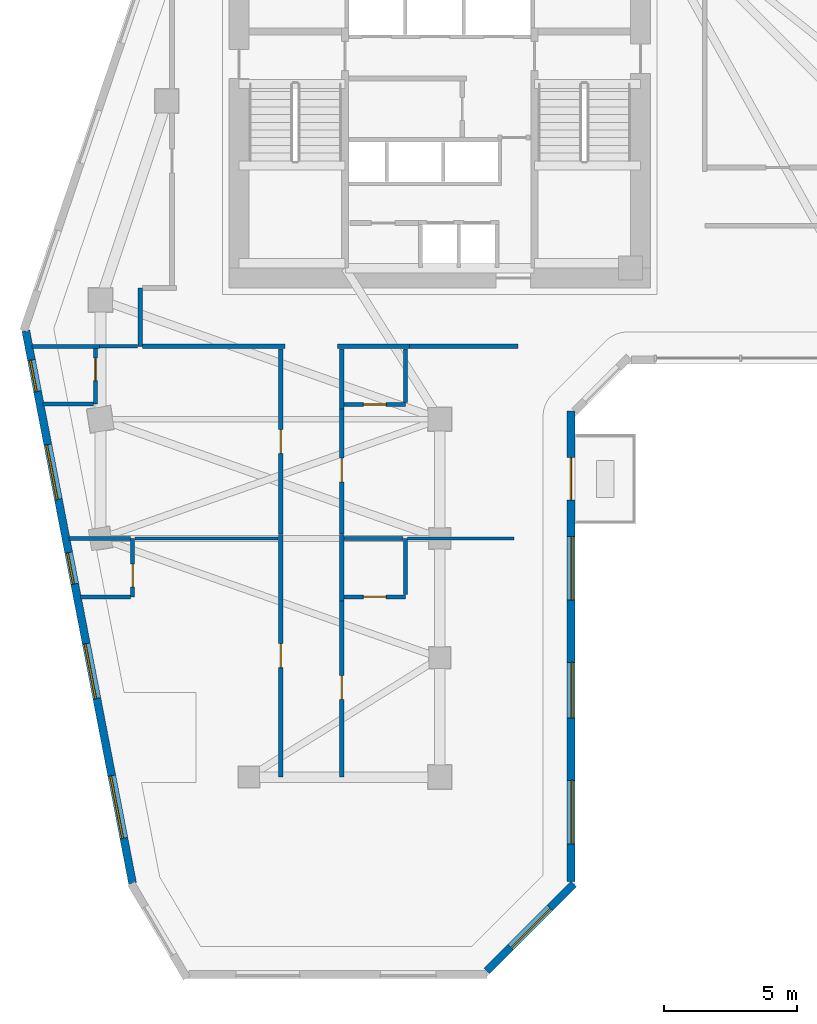
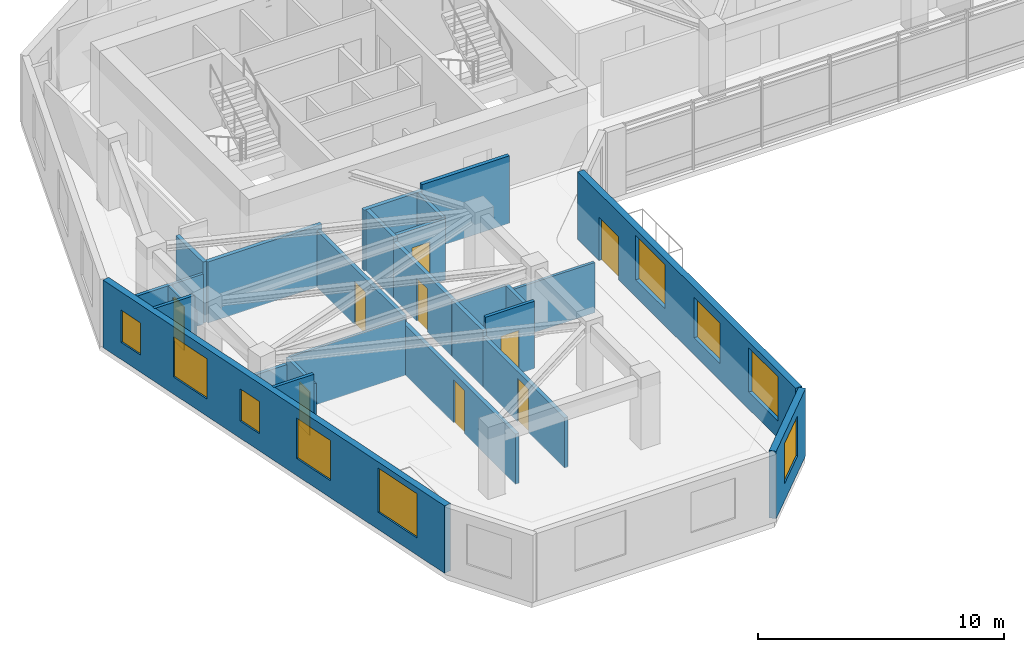
# One storey, part 4 of 10: 27 walls, 9 doors, 9 windows, 18 openings.
"""IFC4 building model written with IfcOpenShell, lengths in metres."""

from ifc_helpers import new_model, si_unit, direction, frame, frame_2d, origin, place, context, subcontext, project, spatial, rectangle, extrude, source, transform, mapped, material, layer, layer_set, type_object, element, fill, save


model = new_model("IFC4")

# Units and contexts
model_context = context("Model", 3, precision=1e-05, world=origin(), true_north=direction((0.0, 1.0)))
body_context = subcontext(model_context, "Body", "Model", "MODEL_VIEW")
ifc_project = project(units=[si_unit("LENGTHUNIT", "METRE"), si_unit("AREAUNIT", "SQUARE_METRE"), si_unit("VOLUMEUNIT", "CUBIC_METRE"), si_unit("PLANEANGLEUNIT", "RADIAN"), si_unit("MASSUNIT", "GRAM", prefix="KILO")], contexts=[model_context])

# Site, building, storey
site_placement = place(None, origin())
site = spatial("IfcSite", under=ifc_project, at=site_placement, CompositionType="ELEMENT")
building_placement = place(site_placement, origin())
building = spatial("IfcBuilding", under=site, at=building_placement, Name="Calvemar Wedge Station Tower", CompositionType="ELEMENT")
storey_placement = place(building_placement, frame((0.0, 0.0, 110.60009765625)))
storey = spatial("IfcBuildingStorey", under=building, at=storey_placement, Name="L26", CompositionType="ELEMENT", Elevation=110.60009765625)

# Walls
ifc_material_1 = material(Name="Double-stud fire-rated corridor partition")
ifc_layer_1 = layer(ifc_material_1, 0.179931640625)
ifc_layer_set_1 = layer_set([ifc_layer_1], Name="Double-stud fire-rated corridor partition")
wall_type_1 = type_object("IfcWallType", Name="W-CORR-180", PredefinedType="PARTITIONING", material=ifc_layer_set_1)
wall_1_placement = place(storey_placement, frame((12.5, 31.25, 0.0), z_axis=(0.0, 0.0, 1.0), x_axis=(0.0, 1.0, 0.0)))
element("IfcWall", 1, at=wall_1_placement, inside=storey, type_object=wall_type_1, Name="Storey L26 Interior Partition WL-L26-005", PredefinedType="PARTITIONING", context=body_context, shape_type="SweptSolid", body=[
    extrude(rectangle(XDim=2.199951171875, YDim=0.179931640625, at=frame_2d((1.10009765625, 0.0))), origin(), (0.0, 0.0, 1.0), 3.033935546875),
])
wall_2_placement = place(storey_placement, frame((17.9599609375, 31.25, 0.0), z_axis=(0.0, 0.0, 1.0), x_axis=(-1.0, 0.0, 0.0)))
element("IfcWall", 2, at=wall_2_placement, inside=storey, type_object=wall_type_1, Name="Storey L26 Interior Partition WL-L26-007", PredefinedType="PARTITIONING", context=body_context, shape_type="SweptSolid", body=[
    extrude(rectangle(XDim=5.365966796875, YDim=0.179931640625, at=frame_2d((2.68310546875, 0.0))), origin(), (0.0, 0.0, 1.0), 3.033935546875),
])
wall_3_placement = place(storey_placement, frame((22.659912109375, 31.25, 0.0), z_axis=(0.0, 0.0, 1.0), x_axis=(-1.0, 0.0, 0.0)))
element("IfcWall", 3, at=wall_3_placement, inside=storey, type_object=wall_type_1, Name="Storey L26 Interior Partition WL-L26-008", PredefinedType="PARTITIONING", context=body_context, shape_type="SweptSolid", body=[
    extrude(rectangle(XDim=2.719970703125, YDim=0.179931640625, at=frame_2d((1.35986328125, 0.0))), origin(), (0.0, 0.0, 1.0), 3.033935546875),
])
wall_4_placement = place(storey_placement, frame((26.760009765625, 31.25, 0.0), z_axis=(0.0, 0.0, 1.0), x_axis=(-1.0, 0.0, 0.0)))
element("IfcWall", 4, at=wall_4_placement, inside=storey, type_object=wall_type_1, Name="Storey L26 Interior Partition WL-L26-009", PredefinedType="PARTITIONING", context=body_context, shape_type="SweptSolid", body=[
    extrude(rectangle(XDim=4.097900390625, YDim=0.179931640625, at=frame_2d((2.048828125, 0.0))), origin(), (0.0, 0.0, 1.0), 3.349853515625),
])

# Wall, opening, door
wall_5_placement = place(storey_placement, frame((17.800048828125, 15.0, 0.0), z_axis=(0.0, 0.0, 1.0), x_axis=(0.0, 1.0, 0.0)))
wall_5 = element("IfcWall", 5, at=wall_5_placement, inside=storey, type_object=wall_type_1, Name="Storey L26 Interior Partition WL-L26-038", PredefinedType="PARTITIONING", context=body_context, shape_type="SweptSolid", body=[
    extrude(rectangle(XDim=9.159912109375, YDim=0.179931640625, at=frame_2d((4.580078125, 0.0))), origin(), (0.0, 0.0, 1.0), 2.491943359375),
])
shared_shape_1 = source(origin(), body_context, "Body", "SweptSolid", [
    extrude(rectangle(XDim=0.89990234375, YDim=2.14990234375, at=frame_2d((0.449951171875, 1.074951171875))), frame((0.0, 0.10009765625, 0.0), z_axis=(0.0, -1.0, 0.0), x_axis=(1.0, 0.0, 0.0)), (0.0, 0.0, 1.0), 0.199951171875),
])
opening_1_placement = place(wall_5_placement, frame((4.1298828125, 0.0, 0.0)))
opening_1 = element("IfcOpeningElement", 6, at=opening_1_placement, cuts=wall_5, Name="Opening FD-60", PredefinedType="OPENING", context=body_context, shape_type="MappedRepresentation", body=[
    mapped(shared_shape_1, transform((0.0, 0.0, 0.0), scale=1.0)),
])
ifc_material_2 = material(Name="Fire-rated acoustic timber-core entrance door EI 60", Category="wood")
door_type_1 = type_object("IfcDoorType", Name="DR-FD60-900", OperationType="NOTDEFINED", PredefinedType="DOOR", material=ifc_material_2)
shared_shape_2 = source(origin(), body_context, "Body", "SweptSolid", [
    extrude(rectangle(XDim=0.89990234375, YDim=2.14990234375, at=frame_2d((0.449951171875, 1.074951171875))), frame((0.0, 0.02490234375, 0.0), z_axis=(0.0, -1.0, 0.0), x_axis=(1.0, 0.0, 0.0)), (0.0, 0.0, 1.0), 0.050048828125),
])
door_1_placement = place(opening_1_placement, origin())
door_1 = element("IfcDoor", 7, at=door_1_placement, inside=storey, type_object=door_type_1, Name="L26 Hotel Guest Room Door", OperationType="SINGLE_SWING_LEFT", OverallHeight=2.14990234375, OverallWidth=0.89990234375, PredefinedType="DOOR", context=body_context, shape_type="MappedRepresentation", body=[
    mapped(shared_shape_2, transform((0.0, 0.0, 0.0), scale=1.0)),
])
fill(opening_1, door_1)

# Wall
wall_6_placement = place(storey_placement, frame((20.10009765625, 24.159912109375, 0.0), z_axis=(0.0, 0.0, 1.0), x_axis=(0.0, -1.0, 0.0)))
element("IfcWall", 8, at=wall_6_placement, inside=storey, type_object=wall_type_1, Name="Storey L26 Interior Partition WL-L26-039", PredefinedType="PARTITIONING", context=body_context, shape_type="SweptSolid", body=[
    extrude(rectangle(XDim=2.52001953125, YDim=0.179931640625, at=frame_2d((1.260009765625, 0.0))), origin(), (0.0, 0.0, 1.0), 2.802978515625),
])

# Wall, opening, door
wall_7_placement = place(storey_placement, frame((20.10009765625, 21.637939453125, 0.0), z_axis=(0.0, 0.0, 1.0), x_axis=(0.0, -1.0, 0.0)))
wall_7 = element("IfcWall", 9, at=wall_7_placement, inside=storey, type_object=wall_type_1, Name="Storey L26 Interior Partition WL-L26-040", PredefinedType="PARTITIONING", context=body_context, shape_type="SweptSolid", body=[
    extrude(rectangle(XDim=6.637939453125, YDim=0.179931640625, at=frame_2d((3.31884765625, 0.0))), origin(), (0.0, 0.0, 1.0), 2.491943359375),
])
opening_2_placement = place(wall_7_placement, frame((2.808837890625, 0.0, 0.0)))
opening_2 = element("IfcOpeningElement", 10, at=opening_2_placement, cuts=wall_7, Name="Opening FD-60", PredefinedType="OPENING", context=body_context, shape_type="MappedRepresentation", body=[
    mapped(shared_shape_1, transform((0.0, 0.0, 0.0), scale=1.0)),
])
door_2_placement = place(opening_2_placement, origin())
door_2 = element("IfcDoor", 11, at=door_2_placement, inside=storey, type_object=door_type_1, Name="L26 Hotel Guest Room Door", OperationType="SINGLE_SWING_LEFT", OverallHeight=2.14990234375, OverallWidth=0.89990234375, PredefinedType="DOOR", context=body_context, shape_type="MappedRepresentation", body=[
    mapped(shared_shape_2, transform((0.0, 0.0, 0.0), scale=1.0)),
])
fill(opening_2, door_2)

wall_8_placement = place(storey_placement, frame((17.800048828125, 24.162109375, 0.0), z_axis=(0.0, 0.0, 1.0), x_axis=(0.0, 1.0, 0.0)))
wall_8 = element("IfcWall", 12, at=wall_8_placement, inside=storey, type_object=wall_type_1, Name="Storey L26 Interior Partition WL-L26-041", PredefinedType="PARTITIONING", context=body_context, shape_type="SweptSolid", body=[
    extrude(rectangle(XDim=6.993896484375, YDim=0.179931640625, at=frame_2d((3.4970703125, 0.0))), origin(), (0.0, 0.0, 1.0), 2.802978515625),
])
opening_3_placement = place(wall_8_placement, frame((3.047119140625, 0.0, 0.0)))
opening_3 = element("IfcOpeningElement", 13, at=opening_3_placement, cuts=wall_8, Name="Opening FD-60", PredefinedType="OPENING", context=body_context, shape_type="MappedRepresentation", body=[
    mapped(shared_shape_1, transform((0.0, 0.0, 0.0), scale=1.0)),
])
door_3_placement = place(opening_3_placement, origin())
door_3 = element("IfcDoor", 14, at=door_3_placement, inside=storey, type_object=door_type_1, Name="L26 Hotel Guest Room Door", OperationType="SINGLE_SWING_LEFT", OverallHeight=2.14990234375, OverallWidth=0.89990234375, PredefinedType="DOOR", context=body_context, shape_type="MappedRepresentation", body=[
    mapped(shared_shape_2, transform((0.0, 0.0, 0.0), scale=1.0)),
])
fill(opening_3, door_3)

# Wall
wall_9_placement = place(storey_placement, frame((20.10009765625, 31.156005859375, 0.0), z_axis=(0.0, 0.0, 1.0), x_axis=(0.0, -1.0, 0.0)))
element("IfcWall", 15, at=wall_9_placement, inside=storey, type_object=wall_type_1, Name="Storey L26 Interior Partition WL-L26-042", PredefinedType="PARTITIONING", context=body_context, shape_type="SweptSolid", body=[
    extrude(rectangle(XDim=2.26611328125, YDim=0.179931640625, at=frame_2d((1.133056640625, 0.0))), origin(), (0.0, 0.0, 1.0), 3.033935546875),
])

# Wall, opening, door
wall_10_placement = place(storey_placement, frame((20.10009765625, 28.887939453125, 0.0), z_axis=(0.0, 0.0, 1.0), x_axis=(0.0, -1.0, 0.0)))
wall_10 = element("IfcWall", 16, at=wall_10_placement, inside=storey, type_object=wall_type_1, Name="Storey L26 Interior Partition WL-L26-043", PredefinedType="PARTITIONING", context=body_context, shape_type="SweptSolid", body=[
    extrude(rectangle(XDim=4.725830078125, YDim=0.179931640625, at=frame_2d((2.36279296875, 0.0))), origin(), (0.0, 0.0, 1.0), 2.802978515625),
])
opening_4_placement = place(wall_10_placement, frame((1.8525390625, 0.0, 0.0)))
opening_4 = element("IfcOpeningElement", 17, at=opening_4_placement, cuts=wall_10, Name="Opening FD-60", PredefinedType="OPENING", context=body_context, shape_type="MappedRepresentation", body=[
    mapped(shared_shape_1, transform((0.0, 0.0, 0.0), scale=1.0)),
])
door_4_placement = place(opening_4_placement, origin())
door_4 = element("IfcDoor", 18, at=door_4_placement, inside=storey, type_object=door_type_1, Name="L26 Hotel Guest Room Door", OperationType="SINGLE_SWING_LEFT", OverallHeight=2.14990234375, OverallWidth=0.89990234375, PredefinedType="DOOR", context=body_context, shape_type="MappedRepresentation", body=[
    mapped(shared_shape_2, transform((0.0, 0.0, 0.0), scale=1.0)),
])
fill(opening_4, door_4)

# Wall, opening, window
ifc_material_3 = material(Name="Precast concrete C45", Category="concrete")
ifc_layer_2 = layer(ifc_material_3, 0.300048828125)
ifc_layer_set_2 = layer_set([ifc_layer_2], Name="Precast concrete C45")
wall_type_2 = type_object("IfcWallType", Name="W-EXT-GFRC-300", PredefinedType="SOLIDWALL", material=ifc_layer_set_2)
wall_11_placement = place(storey_placement, frame((25.572021484375, 7.68798828125, 0.0), z_axis=(0.0, 0.0, 1.0), x_axis=(0.70708046583, 0.707133095564, 0.0)))
wall_11 = element("IfcWall", 19, at=wall_11_placement, inside=storey, type_object=wall_type_2, Name="Storey L26 Bronze GFRC Exterior Wall 3", PredefinedType="SOLIDWALL", context=body_context, shape_type="SweptSolid", body=[
    extrude(rectangle(XDim=4.638916015625, YDim=0.300048828125, at=frame_2d((2.3193359375, 0.0))), origin(), (0.0, 0.0, 1.0), 3.349853515625),
])
shared_shape_3 = source(origin(), body_context, "Body", "SweptSolid", [
    extrude(rectangle(XDim=2.10009765625, YDim=2.0, at=frame_2d((1.050048828125, 1.0))), frame((0.0, 0.16015625, 0.0), z_axis=(0.0, -1.0, 0.0), x_axis=(1.0, 0.0, 0.0)), (0.0, 0.0, 1.0), 0.320068359375),
])
opening_5_placement = place(wall_11_placement, frame((1.26904296875, 0.0, 0.85009765625)))
opening_5 = element("IfcOpeningElement", 20, at=opening_5_placement, cuts=wall_11, Name="Opening W4", PredefinedType="OPENING", context=body_context, shape_type="MappedRepresentation", body=[
    mapped(shared_shape_3, transform((0.0, 0.0, 0.0), scale=1.0)),
])
ifc_material_4 = material(Name="Low-E laminated insulated glass", Category="glass")
window_type_1 = type_object("IfcWindowType", Name="WIN-EXT-4", PartitioningType="SINGLE_PANEL", PredefinedType="WINDOW", material=ifc_material_4)
shared_shape_4 = source(origin(), body_context, "Body", "SweptSolid", [
    extrude(rectangle(XDim=2.10009765625, YDim=2.0, at=frame_2d((1.050048828125, 1.0))), frame((0.0, -0.014892578125, 0.0), z_axis=(0.0, -1.0, 0.0), x_axis=(1.0, 0.0, 0.0)), (0.0, 0.0, 1.0), 0.06005859375),
])
window_1_placement = place(opening_5_placement, origin())
window_1 = element("IfcWindow", 21, at=window_1_placement, inside=storey, type_object=window_type_1, Name="Storey L26 Recessed Window 3.1", OverallHeight=2.0, OverallWidth=2.10009765625, PartitioningType="SINGLE_PANEL", PredefinedType="WINDOW", context=body_context, shape_type="MappedRepresentation", body=[
    mapped(shared_shape_4, transform((0.0, 0.0, 0.0), scale=1.0)),
])
fill(opening_5, window_1)

# Wall, openings, windows, door
wall_12_placement = place(storey_placement, frame((28.74609375, 11.057373046875, 0.0), z_axis=(0.0, 0.0, 1.0), x_axis=(0.0, 1.0, 0.0)))
wall_12 = element("IfcWall", 22, at=wall_12_placement, inside=storey, type_object=wall_type_2, Name="Storey L26 Bronze GFRC Exterior Wall 4", PredefinedType="SOLIDWALL", context=body_context, shape_type="SweptSolid", body=[
    extrude(rectangle(XDim=17.746826171875, YDim=0.300048828125, at=frame_2d((8.87353515625, 0.0))), origin(), (0.0, 0.0, 1.0), 3.349853515625),
])
shared_shape_5 = source(origin(), body_context, "Body", "SweptSolid", [
    extrude(rectangle(XDim=1.60009765625, YDim=2.14990234375, at=frame_2d((0.800048828125, 1.074951171875))), frame((0.0, 0.16015625, 0.0), z_axis=(0.0, -1.0, 0.0), x_axis=(1.0, 0.0, 0.0)), (0.0, 0.0, 1.0), 0.320068359375),
])
opening_6_placement = place(wall_12_placement, frame((14.39306640625, 0.0, 0.0)))
opening_6 = element("IfcOpeningElement", 23, at=opening_6_placement, cuts=wall_12, Name="Opening DT1", PredefinedType="OPENING", context=body_context, shape_type="MappedRepresentation", body=[
    mapped(shared_shape_5, transform((0.0, 0.0, 0.0), scale=1.0)),
])
shared_shape_6 = source(origin(), body_context, "Body", "SweptSolid", [
    extrude(rectangle(XDim=2.39990234375, YDim=2.199951171875, at=frame_2d((1.199951171875, 1.10009765625))), frame((0.0, 0.16015625, 0.0), z_axis=(0.0, -1.0, 0.0), x_axis=(1.0, 0.0, 0.0)), (0.0, 0.0, 1.0), 0.320068359375),
])
opening_7_placement = place(wall_12_placement, frame((1.4189453125, 0.0, 0.85009765625)))
opening_7 = element("IfcOpeningElement", 24, at=opening_7_placement, cuts=wall_12, Name="Opening W1", PredefinedType="OPENING", context=body_context, shape_type="MappedRepresentation", body=[
    mapped(shared_shape_6, transform((0.0, 0.0, 0.0), scale=1.0)),
])
opening_8_placement = place(wall_12_placement, frame((6.1669921875, 0.0, 0.85009765625)))
opening_8 = element("IfcOpeningElement", 25, at=opening_8_placement, cuts=wall_12, Name="Opening W4", PredefinedType="OPENING", context=body_context, shape_type="MappedRepresentation", body=[
    mapped(shared_shape_3, transform((0.0, 0.0, 0.0), scale=1.0)),
])
opening_9_placement = place(wall_12_placement, frame((10.614013671875, 0.0, 0.85009765625)))
opening_9 = element("IfcOpeningElement", 26, at=opening_9_placement, cuts=wall_12, Name="Opening W1", PredefinedType="OPENING", context=body_context, shape_type="MappedRepresentation", body=[
    mapped(shared_shape_6, transform((0.0, 0.0, 0.0), scale=1.0)),
])
window_2_placement = place(opening_8_placement, origin())
window_2 = element("IfcWindow", 27, at=window_2_placement, inside=storey, type_object=window_type_1, Name="Storey L26 Recessed Window 4.2", OverallHeight=2.0, OverallWidth=2.10009765625, PartitioningType="SINGLE_PANEL", PredefinedType="WINDOW", context=body_context, shape_type="MappedRepresentation", body=[
    mapped(shared_shape_4, transform((0.0, 0.0, 0.0), scale=1.0)),
])
fill(opening_8, window_2)
window_type_2 = type_object("IfcWindowType", Name="WIN-EXT-1", PartitioningType="SINGLE_PANEL", PredefinedType="WINDOW", material=ifc_material_4)
shared_shape_7 = source(origin(), body_context, "Body", "SweptSolid", [
    extrude(rectangle(XDim=2.39990234375, YDim=2.199951171875, at=frame_2d((1.199951171875, 1.10009765625))), frame((0.0, -0.014892578125, 0.0), z_axis=(0.0, -1.0, 0.0), x_axis=(1.0, 0.0, 0.0)), (0.0, 0.0, 1.0), 0.06005859375),
])
window_3_placement = place(opening_7_placement, origin())
window_3 = element("IfcWindow", 28, at=window_3_placement, inside=storey, type_object=window_type_2, Name="Storey L26 Recessed Window 4.1", OverallHeight=2.199951171875, OverallWidth=2.39990234375, PartitioningType="SINGLE_PANEL", PredefinedType="WINDOW", context=body_context, shape_type="MappedRepresentation", body=[
    mapped(shared_shape_7, transform((0.0, 0.0, 0.0), scale=1.0)),
])
fill(opening_7, window_3)
window_4_placement = place(opening_9_placement, origin())
window_4 = element("IfcWindow", 29, at=window_4_placement, inside=storey, type_object=window_type_2, Name="Storey L26 Recessed Window 4.3", OverallHeight=2.199951171875, OverallWidth=2.39990234375, PartitioningType="SINGLE_PANEL", PredefinedType="WINDOW", context=body_context, shape_type="MappedRepresentation", body=[
    mapped(shared_shape_7, transform((0.0, 0.0, 0.0), scale=1.0)),
])
fill(opening_9, window_4)
ifc_material_5 = material(Name="Anodised aluminium 6063-T6", Category="aluminium")
door_type_2 = type_object("IfcDoorType", Name="DR-TERR-1600", OperationType="DOUBLE_DOOR_SLIDING", PredefinedType="DOOR", material=ifc_material_5)
shared_shape_8 = source(origin(), body_context, "Body", "SweptSolid", [
    extrude(rectangle(XDim=1.60009765625, YDim=2.14990234375, at=frame_2d((0.800048828125, 1.074951171875))), frame((0.0, 0.02490234375, 0.0), z_axis=(0.0, -1.0, 0.0), x_axis=(1.0, 0.0, 0.0)), (0.0, 0.0, 1.0), 0.050048828125),
])
door_5_placement = place(opening_6_placement, origin())
door_5 = element("IfcDoor", 30, at=door_5_placement, inside=storey, type_object=door_type_2, Name="Storey L26 Spiral Terrace Door", OperationType="DOUBLE_DOOR_SLIDING", OverallHeight=2.14990234375, OverallWidth=1.60009765625, PredefinedType="DOOR", context=body_context, shape_type="MappedRepresentation", body=[
    mapped(shared_shape_8, transform((0.0, 0.0, 0.0), scale=1.0)),
])
fill(opening_6, door_5)

# Wall, openings, windows
wall_13_placement = place(storey_placement, frame((8.184814453125, 31.833740234375, 0.0), z_axis=(0.0, 0.0, 1.0), x_axis=(0.189707113148, -0.981840725994, 0.0)))
wall_13 = element("IfcWall", 31, at=wall_13_placement, inside=storey, type_object=wall_type_2, Name="Storey L26 Bronze GFRC Exterior Wall 13", PredefinedType="SOLIDWALL", context=body_context, shape_type="SweptSolid", body=[
    extrude(rectangle(XDim=21.221435546875, YDim=0.300048828125, at=frame_2d((10.61083984375, 0.0))), origin(), (0.0, 0.0, 1.0), 3.349853515625),
])
shared_shape_9 = source(origin(), body_context, "Body", "SweptSolid", [
    extrude(rectangle(XDim=1.199951171875, YDim=1.60009765625, at=frame_2d((0.60009765625, 0.800048828125))), frame((0.0, 0.16015625, 0.0), z_axis=(0.0, -1.0, 0.0), x_axis=(1.0, 0.0, 0.0)), (0.0, 0.0, 1.0), 0.320068359375),
])
opening_10_placement = place(wall_13_placement, frame((1.126953125, 0.0, 0.85009765625)))
opening_10 = element("IfcOpeningElement", 32, at=opening_10_placement, cuts=wall_13, Name="Opening W5", PredefinedType="OPENING", context=body_context, shape_type="MappedRepresentation", body=[
    mapped(shared_shape_9, transform((0.0, 0.0, 0.0), scale=1.0)),
])
opening_11_placement = place(wall_13_placement, frame((4.368896484375, 0.0, 0.85009765625)))
opening_11 = element("IfcOpeningElement", 33, at=opening_11_placement, cuts=wall_13, Name="Opening W4", PredefinedType="OPENING", context=body_context, shape_type="MappedRepresentation", body=[
    mapped(shared_shape_3, transform((0.0, 0.0, 0.0), scale=1.0)),
])
opening_12_placement = place(wall_13_placement, frame((8.52099609375, 0.0, 0.85009765625)))
opening_12 = element("IfcOpeningElement", 34, at=opening_12_placement, cuts=wall_13, Name="Opening W5", PredefinedType="OPENING", context=body_context, shape_type="MappedRepresentation", body=[
    mapped(shared_shape_9, transform((0.0, 0.0, 0.0), scale=1.0)),
])
opening_13_placement = place(wall_13_placement, frame((12.02099609375, 0.0, 0.85009765625)))
opening_13 = element("IfcOpeningElement", 35, at=opening_13_placement, cuts=wall_13, Name="Opening W4", PredefinedType="OPENING", context=body_context, shape_type="MappedRepresentation", body=[
    mapped(shared_shape_3, transform((0.0, 0.0, 0.0), scale=1.0)),
])
opening_14_placement = place(wall_13_placement, frame((17.091064453125, 0.0, 0.85009765625)))
opening_14 = element("IfcOpeningElement", 36, at=opening_14_placement, cuts=wall_13, Name="Opening W1", PredefinedType="OPENING", context=body_context, shape_type="MappedRepresentation", body=[
    mapped(shared_shape_6, transform((0.0, 0.0, 0.0), scale=1.0)),
])
window_5_placement = place(opening_11_placement, origin())
window_5 = element("IfcWindow", 37, at=window_5_placement, inside=storey, type_object=window_type_1, Name="Storey L26 Recessed Window 13.2", OverallHeight=2.0, OverallWidth=2.10009765625, PartitioningType="SINGLE_PANEL", PredefinedType="WINDOW", context=body_context, shape_type="MappedRepresentation", body=[
    mapped(shared_shape_4, transform((0.0, 0.0, 0.0), scale=1.0)),
])
fill(opening_11, window_5)
window_6_placement = place(opening_13_placement, origin())
window_6 = element("IfcWindow", 38, at=window_6_placement, inside=storey, type_object=window_type_1, Name="Storey L26 Recessed Window 13.4", OverallHeight=2.0, OverallWidth=2.10009765625, PartitioningType="SINGLE_PANEL", PredefinedType="WINDOW", context=body_context, shape_type="MappedRepresentation", body=[
    mapped(shared_shape_4, transform((0.0, 0.0, 0.0), scale=1.0)),
])
fill(opening_13, window_6)
window_7_placement = place(opening_14_placement, origin())
window_7 = element("IfcWindow", 39, at=window_7_placement, inside=storey, type_object=window_type_2, Name="Storey L26 Recessed Window 13.5", OverallHeight=2.199951171875, OverallWidth=2.39990234375, PartitioningType="SINGLE_PANEL", PredefinedType="WINDOW", context=body_context, shape_type="MappedRepresentation", body=[
    mapped(shared_shape_7, transform((0.0, 0.0, 0.0), scale=1.0)),
])
fill(opening_14, window_7)
window_type_3 = type_object("IfcWindowType", Name="WIN-EXT-5", PartitioningType="SINGLE_PANEL", PredefinedType="WINDOW", material=ifc_material_4)
shared_shape_10 = source(origin(), body_context, "Body", "SweptSolid", [
    extrude(rectangle(XDim=1.199951171875, YDim=1.60009765625, at=frame_2d((0.60009765625, 0.800048828125))), frame((0.0, -0.014892578125, 0.0), z_axis=(0.0, -1.0, 0.0), x_axis=(1.0, 0.0, 0.0)), (0.0, 0.0, 1.0), 0.06005859375),
])
window_8_placement = place(opening_10_placement, origin())
window_8 = element("IfcWindow", 40, at=window_8_placement, inside=storey, type_object=window_type_3, Name="Storey L26 Recessed Window 13.1", OverallHeight=1.60009765625, OverallWidth=1.199951171875, PartitioningType="SINGLE_PANEL", PredefinedType="WINDOW", context=body_context, shape_type="MappedRepresentation", body=[
    mapped(shared_shape_10, transform((0.0, 0.0, 0.0), scale=1.0)),
])
fill(opening_10, window_8)
window_9_placement = place(opening_12_placement, origin())
window_9 = element("IfcWindow", 41, at=window_9_placement, inside=storey, type_object=window_type_3, Name="Storey L26 Recessed Window 13.3", OverallHeight=1.60009765625, OverallWidth=1.199951171875, PartitioningType="SINGLE_PANEL", PredefinedType="WINDOW", context=body_context, shape_type="MappedRepresentation", body=[
    mapped(shared_shape_10, transform((0.0, 0.0, 0.0), scale=1.0)),
])
fill(opening_12, window_9)

# Walls
ifc_material_6 = material(Name="Insulated acoustic gypsum stud partition")
ifc_layer_3 = layer(ifc_material_6, 0.125)
ifc_layer_set_3 = layer_set([ifc_layer_3], Name="Insulated acoustic gypsum stud partition")
wall_type_3 = type_object("IfcWallType", Name="W-PART-125", PredefinedType="PARTITIONING", material=ifc_layer_set_3)
wall_14_placement = place(storey_placement, frame((12.406005859375, 31.25, 0.0), z_axis=(0.0, 0.0, 1.0), x_axis=(-1.0, 0.0, 0.0)))
element("IfcWall", 42, at=wall_14_placement, inside=storey, type_object=wall_type_3, Name="Storey L26 Interior Partition WL-L26-017", PredefinedType="PARTITIONING", context=body_context, shape_type="SweptSolid", body=[
    extrude(rectangle(XDim=1.43310546875, YDim=0.125, at=frame_2d((0.716552734375, 0.0))), origin(), (0.0, 0.0, 1.0), 2.491943359375),
])
wall_15_placement = place(storey_placement, frame((12.294677734375, 24.0, 0.0), z_axis=(0.0, 0.0, 1.0), x_axis=(1.0, 0.0, 0.0)))
element("IfcWall", 43, at=wall_15_placement, inside=storey, type_object=wall_type_3, Name="Storey L26 Interior Partition WL-L26-047", PredefinedType="PARTITIONING", context=body_context, shape_type="SweptSolid", body=[
    extrude(rectangle(XDim=5.411376953125, YDim=0.125, at=frame_2d((2.70556640625, 0.0))), origin(), (0.0, 0.0, 1.0), 2.802978515625),
])
wall_16_placement = place(storey_placement, frame((22.5791015625, 24.0, 0.0), z_axis=(0.0, 0.0, 1.0), x_axis=(1.0, 0.0, 0.0)))
element("IfcWall", 44, at=wall_16_placement, inside=storey, type_object=wall_type_3, Name="Storey L26 Interior Partition WL-L26-051", PredefinedType="PARTITIONING", context=body_context, shape_type="SweptSolid", body=[
    extrude(rectangle(XDim=4.02099609375, YDim=0.125, at=frame_2d((2.010498046875, 0.0))), origin(), (0.0, 0.0, 1.0), 2.491943359375),
])
ifc_material_7 = material(Name="Moisture-resistant acoustic bathroom partition")
ifc_layer_4 = layer(ifc_material_7, 0.14990234375)
ifc_layer_set_4 = layer_set([ifc_layer_4], Name="Moisture-resistant acoustic bathroom partition")
wall_type_4 = type_object("IfcWallType", Name="W-WET-150", PredefinedType="PARTITIONING", material=ifc_layer_set_4)
wall_17_placement = place(storey_placement, frame((10.970947265625, 31.25, 0.0), z_axis=(0.0, 0.0, 1.0), x_axis=(-1.0, 0.0, 0.0)))
element("IfcWall", 45, at=wall_17_placement, inside=storey, type_object=wall_type_4, Name="Storey L26 Interior Partition WL-L26-016", PredefinedType="PARTITIONING", context=body_context, shape_type="SweptSolid", body=[
    extrude(rectangle(XDim=2.55615234375, YDim=0.14990234375, at=frame_2d((1.278076171875, 0.0))), origin(), (0.0, 0.0, 1.0), 2.491943359375),
])

# Wall, opening, door
wall_18_placement = place(storey_placement, frame((12.215576171875, 24.0, 0.0), z_axis=(0.0, 0.0, 1.0), x_axis=(0.0, -1.0, 0.0)))
wall_18 = element("IfcWall", 46, at=wall_18_placement, inside=storey, type_object=wall_type_4, Name="Storey L26 Interior Partition WL-L26-044", PredefinedType="PARTITIONING", context=body_context, shape_type="SweptSolid", body=[
    extrude(rectangle(XDim=2.199951171875, YDim=0.14990234375, at=frame_2d((1.10009765625, 0.0))), origin(), (0.0, 0.0, 1.0), 2.802978515625),
])
shared_shape_11 = source(origin(), body_context, "Body", "SweptSolid", [
    extrude(rectangle(XDim=0.85009765625, YDim=2.14990234375, at=frame_2d((0.425048828125, 1.074951171875))), frame((0.0, 0.0849609375, 0.0), z_axis=(0.0, -1.0, 0.0), x_axis=(1.0, 0.0, 0.0)), (0.0, 0.0, 1.0), 0.169921875),
])
opening_15_placement = place(wall_18_placement, frame((0.97119140625, 0.0, 0.0)))
opening_15 = element("IfcOpeningElement", 47, at=opening_15_placement, cuts=wall_18, Name="Opening D-02", PredefinedType="OPENING", context=body_context, shape_type="MappedRepresentation", body=[
    mapped(shared_shape_11, transform((0.0, 0.0, 0.0), scale=1.0)),
])
ifc_material_8 = material(Name="Moisture-sealed bathroom hardwood swing door", Category="wood")
door_type_3 = type_object("IfcDoorType", Name="DR-WET-850", OperationType="NOTDEFINED", PredefinedType="DOOR", material=ifc_material_8)
shared_shape_12 = source(origin(), body_context, "Body", "SweptSolid", [
    extrude(rectangle(XDim=0.85009765625, YDim=2.14990234375, at=frame_2d((0.425048828125, 1.074951171875))), frame((0.0, 0.02490234375, 0.0), z_axis=(0.0, -1.0, 0.0), x_axis=(1.0, 0.0, 0.0)), (0.0, 0.0, 1.0), 0.050048828125),
])
door_6_placement = place(opening_15_placement, origin())
door_6 = element("IfcDoor", 48, at=door_6_placement, inside=storey, type_object=door_type_3, Name="L26 En-Suite Bathroom Door", OperationType="SINGLE_SWING_RIGHT", OverallHeight=2.14990234375, OverallWidth=0.85009765625, PredefinedType="DOOR", context=body_context, shape_type="MappedRepresentation", body=[
    mapped(shared_shape_12, transform((0.0, 0.0, 0.0), scale=1.0)),
])
fill(opening_15, door_6)

# Walls
wall_19_placement = place(storey_placement, frame((12.13671875, 21.800048828125, 0.0), z_axis=(0.0, 0.0, 1.0), x_axis=(-1.0, 0.0, 0.0)))
element("IfcWall", 49, at=wall_19_placement, inside=storey, type_object=wall_type_4, Name="Storey L26 Interior Partition WL-L26-045", PredefinedType="PARTITIONING", context=body_context, shape_type="SweptSolid", body=[
    extrude(rectangle(XDim=1.896240234375, YDim=0.14990234375, at=frame_2d((0.9482421875, 0.0))), origin(), (0.0, 0.0, 1.0), 3.349853515625),
])
wall_20_placement = place(storey_placement, frame((9.815673828125, 24.0, 0.0), z_axis=(0.0, 0.0, 1.0), x_axis=(1.0, 0.0, 0.0)))
element("IfcWall", 50, at=wall_20_placement, inside=storey, type_object=wall_type_4, Name="Storey L26 Interior Partition WL-L26-046", PredefinedType="PARTITIONING", context=body_context, shape_type="SweptSolid", body=[
    extrude(rectangle(XDim=2.321044921875, YDim=0.14990234375, at=frame_2d((1.16064453125, 0.0))), origin(), (0.0, 0.0, 1.0), 2.491943359375),
])

# Wall, opening, door
wall_21_placement = place(storey_placement, frame((22.5, 21.800048828125, 0.0), z_axis=(0.0, 0.0, 1.0), x_axis=(-1.0, 0.0, 0.0)))
wall_21 = element("IfcWall", 51, at=wall_21_placement, inside=storey, type_object=wall_type_4, Name="Storey L26 Interior Partition WL-L26-048", PredefinedType="PARTITIONING", context=body_context, shape_type="SweptSolid", body=[
    extrude(rectangle(XDim=2.305908203125, YDim=0.14990234375, at=frame_2d((1.15283203125, 0.0))), origin(), (0.0, 0.0, 1.0), 3.349853515625),
])
opening_16_placement = place(wall_21_placement, frame((0.72802734375, 0.0, 0.0)))
opening_16 = element("IfcOpeningElement", 52, at=opening_16_placement, cuts=wall_21, Name="Opening D-02", PredefinedType="OPENING", context=body_context, shape_type="MappedRepresentation", body=[
    mapped(shared_shape_11, transform((0.0, 0.0, 0.0), scale=1.0)),
])
door_7_placement = place(opening_16_placement, origin())
door_7 = element("IfcDoor", 53, at=door_7_placement, inside=storey, type_object=door_type_3, Name="L26 En-Suite Bathroom Door", OperationType="SINGLE_SWING_RIGHT", OverallHeight=2.14990234375, OverallWidth=0.85009765625, PredefinedType="DOOR", context=body_context, shape_type="MappedRepresentation", body=[
    mapped(shared_shape_12, transform((0.0, 0.0, 0.0), scale=1.0)),
])
fill(opening_16, door_7)

# Walls
wall_22_placement = place(storey_placement, frame((22.5, 24.0, 0.0), z_axis=(0.0, 0.0, 1.0), x_axis=(0.0, -1.0, 0.0)))
element("IfcWall", 54, at=wall_22_placement, inside=storey, type_object=wall_type_4, Name="Storey L26 Interior Partition WL-L26-049", PredefinedType="PARTITIONING", context=body_context, shape_type="SweptSolid", body=[
    extrude(rectangle(XDim=2.12109375, YDim=0.14990234375, at=frame_2d((1.060546875, 0.0))), origin(), (0.0, 0.0, 1.0), 2.802978515625),
])
wall_23_placement = place(storey_placement, frame((20.194091796875, 24.0, 0.0), z_axis=(0.0, 0.0, 1.0), x_axis=(1.0, 0.0, 0.0)))
element("IfcWall", 55, at=wall_23_placement, inside=storey, type_object=wall_type_4, Name="Storey L26 Interior Partition WL-L26-050", PredefinedType="PARTITIONING", context=body_context, shape_type="SweptSolid", body=[
    extrude(rectangle(XDim=2.226806640625, YDim=0.14990234375, at=frame_2d((1.11328125, 0.0))), origin(), (0.0, 0.0, 1.0), 2.802978515625),
])

# Wall, opening, door
wall_24_placement = place(storey_placement, frame((10.810791015625, 31.1708984375, 0.0), z_axis=(0.0, 0.0, 1.0), x_axis=(0.0, -1.0, 0.0)))
wall_24 = element("IfcWall", 56, at=wall_24_placement, inside=storey, type_object=wall_type_4, Name="Storey L26 Interior Partition WL-L26-052", PredefinedType="PARTITIONING", context=body_context, shape_type="SweptSolid", body=[
    extrude(rectangle(XDim=2.100830078125, YDim=0.14990234375, at=frame_2d((1.05029296875, 0.0))), origin(), (0.0, 0.0, 1.0), 2.491943359375),
])
opening_17_placement = place(wall_24_placement, frame((0.366455078125, 0.0, 0.0)))
opening_17 = element("IfcOpeningElement", 57, at=opening_17_placement, cuts=wall_24, Name="Opening D-02", PredefinedType="OPENING", context=body_context, shape_type="MappedRepresentation", body=[
    mapped(shared_shape_11, transform((0.0, 0.0, 0.0), scale=1.0)),
])
door_8_placement = place(opening_17_placement, origin())
door_8 = element("IfcDoor", 58, at=door_8_placement, inside=storey, type_object=door_type_3, Name="L26 En-Suite Bathroom Door", OperationType="SINGLE_SWING_RIGHT", OverallHeight=2.14990234375, OverallWidth=0.85009765625, PredefinedType="DOOR", context=body_context, shape_type="MappedRepresentation", body=[
    mapped(shared_shape_12, transform((0.0, 0.0, 0.0), scale=1.0)),
])
fill(opening_17, door_8)

# Wall
wall_25_placement = place(storey_placement, frame((10.73193359375, 29.070068359375, 0.0), z_axis=(0.0, 0.0, 1.0), x_axis=(-1.0, 0.0, 0.0)))
element("IfcWall", 59, at=wall_25_placement, inside=storey, type_object=wall_type_4, Name="Storey L26 Interior Partition WL-L26-053", PredefinedType="PARTITIONING", context=body_context, shape_type="SweptSolid", body=[
    extrude(rectangle(XDim=1.89599609375, YDim=0.14990234375, at=frame_2d((0.947998046875, 0.0))), origin(), (0.0, 0.0, 1.0), 3.349853515625),
])

# Wall, opening, door
wall_26_placement = place(storey_placement, frame((22.5, 29.050048828125, 0.0), z_axis=(0.0, 0.0, 1.0), x_axis=(-1.0, 0.0, 0.0)))
wall_26 = element("IfcWall", 60, at=wall_26_placement, inside=storey, type_object=wall_type_4, Name="Storey L26 Interior Partition WL-L26-054", PredefinedType="PARTITIONING", context=body_context, shape_type="SweptSolid", body=[
    extrude(rectangle(XDim=2.305908203125, YDim=0.14990234375, at=frame_2d((1.15283203125, 0.0))), origin(), (0.0, 0.0, 1.0), 3.033935546875),
])
opening_18_placement = place(wall_26_placement, frame((0.72802734375, 0.0, 0.0)))
opening_18 = element("IfcOpeningElement", 61, at=opening_18_placement, cuts=wall_26, Name="Opening D-02", PredefinedType="OPENING", context=body_context, shape_type="MappedRepresentation", body=[
    mapped(shared_shape_11, transform((0.0, 0.0, 0.0), scale=1.0)),
])
door_9_placement = place(opening_18_placement, origin())
door_9 = element("IfcDoor", 62, at=door_9_placement, inside=storey, type_object=door_type_3, Name="L26 En-Suite Bathroom Door", OperationType="SINGLE_SWING_RIGHT", OverallHeight=2.14990234375, OverallWidth=0.85009765625, PredefinedType="DOOR", context=body_context, shape_type="MappedRepresentation", body=[
    mapped(shared_shape_12, transform((0.0, 0.0, 0.0), scale=1.0)),
])
fill(opening_18, door_9)

# Wall
wall_27_placement = place(storey_placement, frame((22.5, 31.156005859375, 0.0), z_axis=(0.0, 0.0, 1.0), x_axis=(0.0, -1.0, 0.0)))
element("IfcWall", 63, at=wall_27_placement, inside=storey, type_object=wall_type_4, Name="Storey L26 Interior Partition WL-L26-055", PredefinedType="PARTITIONING", context=body_context, shape_type="SweptSolid", body=[
    extrude(rectangle(XDim=2.027099609375, YDim=0.14990234375, at=frame_2d((1.013671875, 0.0))), origin(), (0.0, 0.0, 1.0), 3.033935546875),
])

save(model, "model.ifc")
